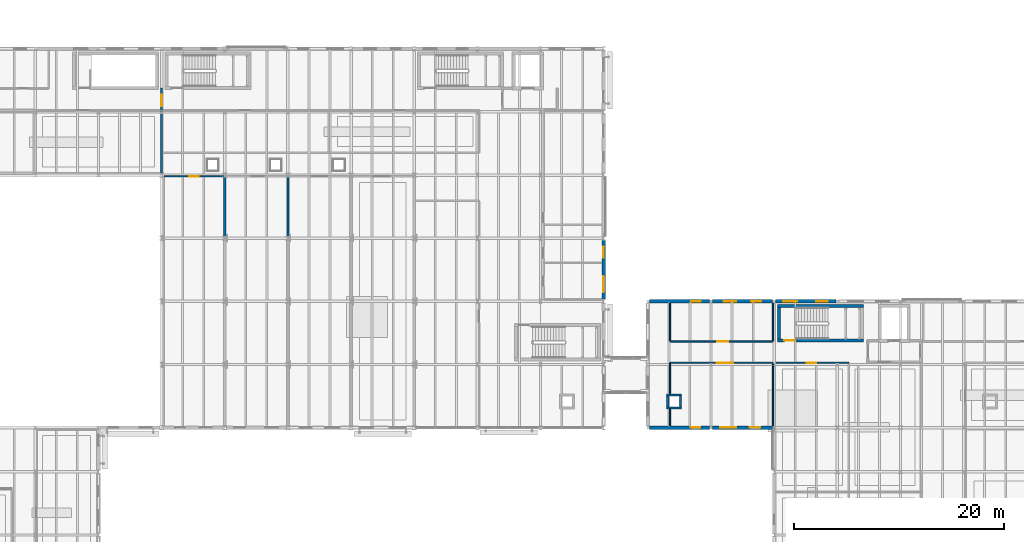
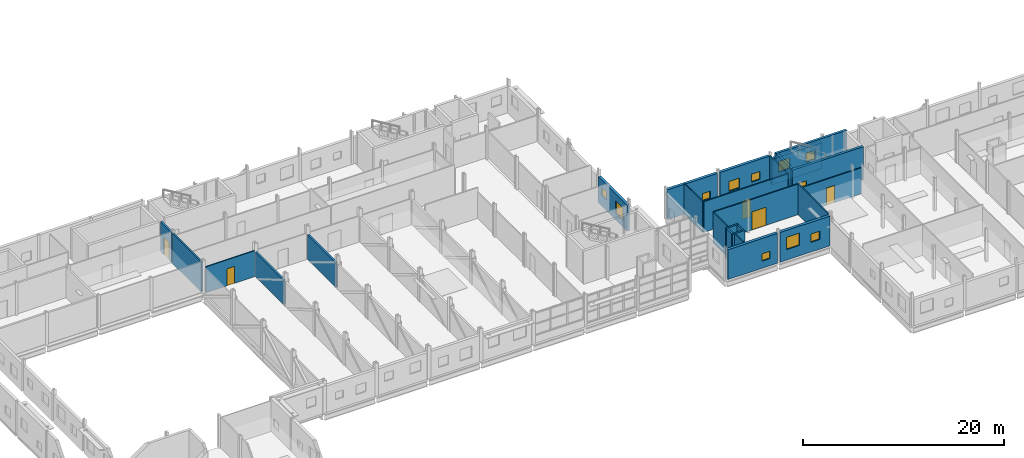
# One storey, part 69 of 92: 26 walls, 10 windows, 6 doors, 16 openings.
"""IFC4 building model written with IfcOpenShell, lengths in metres."""

from ifc_helpers import new_model, si_unit, direction, frame, frame_2d, origin, place, context, subcontext, project, spatial, rectangle, extrude, material, layer, layer_set, type_object, element, fill, save


model = new_model("IFC4")

# Units and contexts
model_context = context("Model", 3, precision=1e-05, world=origin(), true_north=direction((0.0, 1.0)))
body_context = subcontext(model_context, "Body", "Model", "MODEL_VIEW")
ifc_project = project(units=[si_unit("LENGTHUNIT", "METRE"), si_unit("AREAUNIT", "SQUARE_METRE"), si_unit("VOLUMEUNIT", "CUBIC_METRE"), si_unit("PLANEANGLEUNIT", "RADIAN"), si_unit("MASSUNIT", "GRAM", prefix="KILO")], contexts=[model_context])

# Site, building, storey
site_placement = place(None, origin())
site = spatial("IfcSite", under=ifc_project, at=site_placement, CompositionType="ELEMENT")
building_placement = place(site_placement, origin())
building = spatial("IfcBuilding", under=site, at=building_placement, Name="Siltcreek Boulevard Central Fire Station", CompositionType="ELEMENT")
storey_placement = place(building_placement, frame((0.0, 0.0, 6.0)))
storey = spatial("IfcBuildingStorey", under=building, at=storey_placement, Name="L02", CompositionType="ELEMENT", Elevation=6.0)

# Wall, opening, door
ifc_material_1 = material(Name="Concrete C40/50", Category="concrete")
ifc_layer_1 = layer(ifc_material_1, 0.280029296875, Name="Concrete C40/50")
ifc_layer_set_1 = layer_set([ifc_layer_1], Name="Concrete C40/50")
wall_type_1 = type_object("IfcWallType", Name="CW_SHEAR280", PredefinedType="SHEAR", material=ifc_layer_set_1)
wall_1_placement = place(storey_placement, frame((124.52001953125, 26.260009765625, 0.0), z_axis=(0.0, 0.0, 1.0), x_axis=(1.0, 0.0, 0.0)))
wall_1 = element("IfcWall", 1, at=wall_1_placement, inside=storey, type_object=wall_type_1, Name="L02 ST-V6A stair enclosure south shear wall", PredefinedType="SHEAR", context=body_context, shape_type="SweptSolid", body=[
    extrude(rectangle(XDim=8.159912109375, YDim=0.280029296875, at=frame_2d((4.080078125, 0.0))), origin(), (0.0, 0.0, 1.0), 4.0),
])
opening_1_placement = place(wall_1_placement, frame((0.64990234375, 0.0, 0.0)))
opening_1 = element("IfcOpeningElement", 2, at=opening_1_placement, cuts=wall_1, Name="Opening SD-045", PredefinedType="OPENING", context=body_context, shape_type="SweptSolid", body=[
    extrude(rectangle(XDim=0.97998046875, YDim=2.14990234375, at=frame_2d((0.489990234375, 1.074951171875))), frame((0.0, 0.14990234375, 0.0), z_axis=(0.0, -1.0, 0.0), x_axis=(1.0, 0.0, 0.0)), (0.0, 0.0, 1.0), 0.300048828125),
])
ifc_material_2 = material(Name="Hollow metal 90-min enclosed stair door")
door_type_1 = type_object("IfcDoorType", Name="DR_ST_098X215", OperationType="NOTDEFINED", PredefinedType="DOOR", material=ifc_material_2)
door_1_placement = place(opening_1_placement, origin())
door_1 = element("IfcDoor", 3, at=door_1_placement, inside=storey, type_object=door_type_1, Name="L02 ST-V6A enclosed exit stair door SD-045", OperationType="SINGLE_SWING_RIGHT", OverallHeight=2.14990234375, OverallWidth=0.97998046875, PredefinedType="DOOR", context=body_context, shape_type="SweptSolid", body=[
    extrude(rectangle(XDim=0.97998046875, YDim=2.14990234375, at=frame_2d((0.489990234375, 1.074951171875))), frame((0.0, 0.02490234375, 0.0), z_axis=(0.0, -1.0, 0.0), x_axis=(1.0, 0.0, 0.0)), (0.0, 0.0, 1.0), 0.050048828125),
])
fill(opening_1, door_1)

# Walls
wall_2_placement = place(storey_placement, frame((132.679931640625, 29.5400390625, 0.0), z_axis=(0.0, 0.0, 1.0), x_axis=(-1.0, 0.0, 0.0)))
element("IfcWall", 4, at=wall_2_placement, inside=storey, type_object=wall_type_1, Name="L02 ST-V6A stair enclosure north shear wall", PredefinedType="SHEAR", context=body_context, shape_type="SweptSolid", body=[
    extrude(rectangle(XDim=8.159912109375, YDim=0.280029296875, at=frame_2d((4.080078125, 0.0))), origin(), (0.0, 0.0, 1.0), 4.0),
])
wall_3_placement = place(storey_placement, frame((124.659912109375, 29.39990234375, 0.0), z_axis=(0.0, 0.0, 1.0), x_axis=(0.0, -1.0, 0.0)))
element("IfcWall", 5, at=wall_3_placement, inside=storey, type_object=wall_type_1, Name="L02 ST-V6A stair enclosure west shear wall", PredefinedType="SHEAR", context=body_context, shape_type="SweptSolid", body=[
    extrude(rectangle(XDim=3.0, YDim=0.280029296875, at=frame_2d((1.5, 0.0))), origin(), (0.0, 0.0, 1.0), 4.0),
])

# Wall, openings, windows
ifc_material_3 = material(Name="White ribbed aluminum insulated rainscreen panel", Category="aluminium")
ifc_layer_2 = layer(ifc_material_3, 0.320068359375, Name="White ribbed aluminum insulated rainscreen panel")
ifc_layer_set_2 = layer_set([ifc_layer_2], Name="White ribbed aluminum insulated rainscreen panel")
wall_type_2 = type_object("IfcWallType", Name="EW_METAL320", PredefinedType="STANDARD", material=ifc_layer_set_2)
wall_4_placement = place(storey_placement, frame((108.0, 30.14501953125, 0.0), z_axis=(0.0, 0.0, 1.0), x_axis=(0.0, 1.0, 0.0)))
wall_4 = element("IfcWall", 6, at=wall_4_placement, inside=storey, type_object=wall_type_2, Name="L02 V2 exterior insulated rainscreen wall WL-EXT-L02-0077", PredefinedType="STANDARD", context=body_context, shape_type="SweptSolid", body=[
    extrude(rectangle(XDim=5.7099609375, YDim=0.320068359375, at=frame_2d((2.85498046875, 0.0))), origin(), (0.0, 0.0, 1.0), 3.156982421875),
])
opening_2_placement = place(wall_4_placement, frame((0.7412109375, 0.0, 0.820068359375)))
opening_2 = element("IfcOpeningElement", 7, at=opening_2_placement, cuts=wall_4, Name="Opening WN42", PredefinedType="OPENING", context=body_context, shape_type="SweptSolid", body=[
    extrude(rectangle(XDim=1.5, YDim=1.5, at=frame_2d((0.75, 0.75))), frame((0.0, 0.169921875, 0.0), z_axis=(0.0, -1.0, 0.0), x_axis=(1.0, 0.0, 0.0)), (0.0, 0.0, 1.0), 0.340087890625),
])
opening_3_placement = place(wall_4_placement, frame((4.02001953125, 0.0, 1.280029296875)))
opening_3 = element("IfcOpeningElement", 8, at=opening_3_placement, cuts=wall_4, Name="Opening WN38", PredefinedType="OPENING", context=body_context, shape_type="SweptSolid", body=[
    extrude(rectangle(XDim=1.02001953125, YDim=1.02001953125, at=frame_2d((0.510009765625, 0.510009765625))), frame((0.0, 0.169921875, 0.0), z_axis=(0.0, -1.0, 0.0), x_axis=(1.0, 0.0, 0.0)), (0.0, 0.0, 1.0), 0.340087890625),
])
ifc_material_4 = material(Name="Thermally broken aluminum frame with low-E insulated glass", Category="aluminium")
window_type_1 = type_object("IfcWindowType", Name="WN_SQ_102X102", PartitioningType="SINGLE_PANEL", PredefinedType="WINDOW", material=ifc_material_4)
window_1_placement = place(opening_3_placement, origin())
window_1 = element("IfcWindow", 9, at=window_1_placement, inside=storey, type_object=window_type_1, Name="L02 V2 square exterior window WN-0056", OverallHeight=1.02001953125, OverallWidth=1.02001953125, PartitioningType="SINGLE_PANEL", PredefinedType="WINDOW", context=body_context, shape_type="SweptSolid", body=[
    extrude(rectangle(XDim=1.02001953125, YDim=1.02001953125, at=frame_2d((0.510009765625, 0.510009765625))), frame((0.0, 0.030029296875, 0.0), z_axis=(0.0, -1.0, 0.0), x_axis=(1.0, 0.0, 0.0)), (0.0, 0.0, 1.0), 0.06005859375),
])
fill(opening_3, window_1)
window_type_2 = type_object("IfcWindowType", Name="WN_SQ_150X150", PartitioningType="SINGLE_PANEL", PredefinedType="WINDOW", material=ifc_material_4)
window_2_placement = place(opening_2_placement, origin())
window_2 = element("IfcWindow", 10, at=window_2_placement, inside=storey, type_object=window_type_2, Name="L02 V2 square exterior window WN-0055", OverallHeight=1.5, OverallWidth=1.5, PartitioningType="SINGLE_PANEL", PredefinedType="WINDOW", context=body_context, shape_type="SweptSolid", body=[
    extrude(rectangle(XDim=1.5, YDim=1.5, at=frame_2d((0.75, 0.75))), frame((0.0, 0.030029296875, 0.0), z_axis=(0.0, -1.0, 0.0), x_axis=(1.0, 0.0, 0.0)), (0.0, 0.0, 1.0), 0.06005859375),
])
fill(opening_2, window_2)

# Wall, opening, window
wall_5_placement = place(storey_placement, frame((112.344970703125, 18.0, 0.0), z_axis=(0.0, 0.0, 1.0), x_axis=(1.0, 0.0, 0.0)))
wall_5 = element("IfcWall", 11, at=wall_5_placement, inside=storey, type_object=wall_type_2, Name="L02 V6 exterior insulated rainscreen wall WL-EXT-L02-0464", PredefinedType="STANDARD", context=body_context, shape_type="SweptSolid", body=[
    extrude(rectangle(XDim=5.7099609375, YDim=0.320068359375, at=frame_2d((2.85498046875, 0.0))), origin(), (0.0, 0.0, 1.0), 3.618896484375),
])
opening_4_placement = place(wall_5_placement, frame((3.93310546875, 0.0, 0.860107421875)))
opening_4 = element("IfcOpeningElement", 12, at=opening_4_placement, cuts=wall_5, Name="Opening WN37", PredefinedType="OPENING", context=body_context, shape_type="SweptSolid", body=[
    extrude(rectangle(XDim=0.89990234375, YDim=0.89990234375, at=frame_2d((0.449951171875, 0.449951171875))), frame((0.0, 0.169921875, 0.0), z_axis=(0.0, -1.0, 0.0), x_axis=(1.0, 0.0, 0.0)), (0.0, 0.0, 1.0), 0.340087890625),
])
window_type_3 = type_object("IfcWindowType", Name="WN_SQ_090X090", PartitioningType="SINGLE_PANEL", PredefinedType="WINDOW", material=ifc_material_4)
window_3_placement = place(opening_4_placement, origin())
window_3 = element("IfcWindow", 13, at=window_3_placement, inside=storey, type_object=window_type_3, Name="L02 V6 square exterior window WN-0188", OverallHeight=0.89990234375, OverallWidth=0.89990234375, PartitioningType="SINGLE_PANEL", PredefinedType="WINDOW", context=body_context, shape_type="SweptSolid", body=[
    extrude(rectangle(XDim=0.89990234375, YDim=0.89990234375, at=frame_2d((0.449951171875, 0.449951171875))), frame((0.0, 0.030029296875, 0.0), z_axis=(0.0, -1.0, 0.0), x_axis=(1.0, 0.0, 0.0)), (0.0, 0.0, 1.0), 0.06005859375),
])
fill(opening_4, window_3)

# Wall, openings, windows
wall_6_placement = place(storey_placement, frame((118.344970703125, 18.0, 0.0), z_axis=(0.0, 0.0, 1.0), x_axis=(1.0, 0.0, 0.0)))
wall_6 = element("IfcWall", 14, at=wall_6_placement, inside=storey, type_object=wall_type_2, Name="L02 V6 exterior insulated rainscreen wall WL-EXT-L02-0465", PredefinedType="STANDARD", context=body_context, shape_type="SweptSolid", body=[
    extrude(rectangle(XDim=5.7099609375, YDim=0.320068359375, at=frame_2d((2.85498046875, 0.0))), origin(), (0.0, 0.0, 1.0), 3.618896484375),
])
opening_5_placement = place(wall_6_placement, frame((0.7412109375, 0.0, 1.280029296875)))
opening_5 = element("IfcOpeningElement", 15, at=opening_5_placement, cuts=wall_6, Name="Opening WN42", PredefinedType="OPENING", context=body_context, shape_type="SweptSolid", body=[
    extrude(rectangle(XDim=1.5, YDim=1.5, at=frame_2d((0.75, 0.75))), frame((0.0, 0.169921875, 0.0), z_axis=(0.0, -1.0, 0.0), x_axis=(1.0, 0.0, 0.0)), (0.0, 0.0, 1.0), 0.340087890625),
])
opening_6_placement = place(wall_6_placement, frame((3.525390625, 0.0, 1.179931640625)))
opening_6 = element("IfcOpeningElement", 16, at=opening_6_placement, cuts=wall_6, Name="Opening WN38", PredefinedType="OPENING", context=body_context, shape_type="SweptSolid", body=[
    extrude(rectangle(XDim=1.02001953125, YDim=1.02001953125, at=frame_2d((0.510009765625, 0.510009765625))), frame((0.0, 0.169921875, 0.0), z_axis=(0.0, -1.0, 0.0), x_axis=(1.0, 0.0, 0.0)), (0.0, 0.0, 1.0), 0.340087890625),
])
window_4_placement = place(opening_6_placement, origin())
window_4 = element("IfcWindow", 17, at=window_4_placement, inside=storey, type_object=window_type_1, Name="L02 V6 square exterior window WN-0190", OverallHeight=1.02001953125, OverallWidth=1.02001953125, PartitioningType="SINGLE_PANEL", PredefinedType="WINDOW", context=body_context, shape_type="SweptSolid", body=[
    extrude(rectangle(XDim=1.02001953125, YDim=1.02001953125, at=frame_2d((0.510009765625, 0.510009765625))), frame((0.0, 0.030029296875, 0.0), z_axis=(0.0, -1.0, 0.0), x_axis=(1.0, 0.0, 0.0)), (0.0, 0.0, 1.0), 0.06005859375),
])
fill(opening_6, window_4)
window_5_placement = place(opening_5_placement, origin())
window_5 = element("IfcWindow", 18, at=window_5_placement, inside=storey, type_object=window_type_2, Name="L02 V6 square exterior window WN-0189", OverallHeight=1.5, OverallWidth=1.5, PartitioningType="SINGLE_PANEL", PredefinedType="WINDOW", context=body_context, shape_type="SweptSolid", body=[
    extrude(rectangle(XDim=1.5, YDim=1.5, at=frame_2d((0.75, 0.75))), frame((0.0, 0.030029296875, 0.0), z_axis=(0.0, -1.0, 0.0), x_axis=(1.0, 0.0, 0.0)), (0.0, 0.0, 1.0), 0.06005859375),
])
fill(opening_5, window_5)

# Wall, opening, window
wall_7_placement = place(storey_placement, frame((118.054931640625, 30.0, 0.0), z_axis=(0.0, 0.0, 1.0), x_axis=(-1.0, 0.0, 0.0)))
wall_7 = element("IfcWall", 19, at=wall_7_placement, inside=storey, type_object=wall_type_2, Name="L02 V6 exterior insulated rainscreen wall WL-EXT-L02-0466", PredefinedType="STANDARD", context=body_context, shape_type="SweptSolid", body=[
    extrude(rectangle(XDim=5.7099609375, YDim=0.320068359375, at=frame_2d((2.85498046875, 0.0))), origin(), (0.0, 0.0, 1.0), 3.618896484375),
])
opening_7_placement = place(wall_7_placement, frame((0.81689453125, 0.0, 0.860107421875)))
opening_7 = element("IfcOpeningElement", 20, at=opening_7_placement, cuts=wall_7, Name="Opening WN37", PredefinedType="OPENING", context=body_context, shape_type="SweptSolid", body=[
    extrude(rectangle(XDim=0.89990234375, YDim=0.89990234375, at=frame_2d((0.449951171875, 0.449951171875))), frame((0.0, 0.169921875, 0.0), z_axis=(0.0, -1.0, 0.0), x_axis=(1.0, 0.0, 0.0)), (0.0, 0.0, 1.0), 0.340087890625),
])
window_6_placement = place(opening_7_placement, origin())
window_6 = element("IfcWindow", 21, at=window_6_placement, inside=storey, type_object=window_type_3, Name="L02 V6 square exterior window WN-0191", OverallHeight=0.89990234375, OverallWidth=0.89990234375, PartitioningType="SINGLE_PANEL", PredefinedType="WINDOW", context=body_context, shape_type="SweptSolid", body=[
    extrude(rectangle(XDim=0.89990234375, YDim=0.89990234375, at=frame_2d((0.449951171875, 0.449951171875))), frame((0.0, 0.030029296875, 0.0), z_axis=(0.0, -1.0, 0.0), x_axis=(1.0, 0.0, 0.0)), (0.0, 0.0, 1.0), 0.06005859375),
])
fill(opening_7, window_6)

# Wall, openings, windows
wall_8_placement = place(storey_placement, frame((124.054931640625, 30.0, 0.0), z_axis=(0.0, 0.0, 1.0), x_axis=(-1.0, 0.0, 0.0)))
wall_8 = element("IfcWall", 22, at=wall_8_placement, inside=storey, type_object=wall_type_2, Name="L02 V6 exterior insulated rainscreen wall WL-EXT-L02-0467", PredefinedType="STANDARD", context=body_context, shape_type="SweptSolid", body=[
    extrude(rectangle(XDim=5.7099609375, YDim=0.320068359375, at=frame_2d((2.85498046875, 0.0))), origin(), (0.0, 0.0, 1.0), 3.618896484375),
])
opening_8_placement = place(wall_8_placement, frame((1.09228515625, 0.0, 1.179931640625)))
opening_8 = element("IfcOpeningElement", 23, at=opening_8_placement, cuts=wall_8, Name="Opening WN06", PredefinedType="OPENING", context=body_context, shape_type="SweptSolid", body=[
    extrude(rectangle(XDim=0.9599609375, YDim=0.9599609375, at=frame_2d((0.47998046875, 0.47998046875))), frame((0.0, 0.169921875, 0.0), z_axis=(0.0, -1.0, 0.0), x_axis=(1.0, 0.0, 0.0)), (0.0, 0.0, 1.0), 0.340087890625),
])
opening_9_placement = place(wall_8_placement, frame((3.46240234375, 0.0, 0.9599609375)))
opening_9 = element("IfcOpeningElement", 24, at=opening_9_placement, cuts=wall_8, Name="Opening WN01", PredefinedType="OPENING", context=body_context, shape_type="SweptSolid", body=[
    extrude(rectangle(XDim=1.199951171875, YDim=1.199951171875, at=frame_2d((0.60009765625, 0.60009765625))), frame((0.0, 0.169921875, 0.0), z_axis=(0.0, -1.0, 0.0), x_axis=(1.0, 0.0, 0.0)), (0.0, 0.0, 1.0), 0.340087890625),
])
window_type_4 = type_object("IfcWindowType", Name="WN_SQ_096X096", PartitioningType="SINGLE_PANEL", PredefinedType="WINDOW", material=ifc_material_4)
window_7_placement = place(opening_8_placement, origin())
window_7 = element("IfcWindow", 25, at=window_7_placement, inside=storey, type_object=window_type_4, Name="L02 V6 square exterior window WN-0192", OverallHeight=0.9599609375, OverallWidth=0.9599609375, PartitioningType="SINGLE_PANEL", PredefinedType="WINDOW", context=body_context, shape_type="SweptSolid", body=[
    extrude(rectangle(XDim=0.9599609375, YDim=0.9599609375, at=frame_2d((0.47998046875, 0.47998046875))), frame((0.0, 0.030029296875, 0.0), z_axis=(0.0, -1.0, 0.0), x_axis=(1.0, 0.0, 0.0)), (0.0, 0.0, 1.0), 0.06005859375),
])
fill(opening_8, window_7)
window_type_5 = type_object("IfcWindowType", Name="WN_SQ_120X120", PartitioningType="SINGLE_PANEL", PredefinedType="WINDOW", material=ifc_material_4)
window_8_placement = place(opening_9_placement, origin())
window_8 = element("IfcWindow", 26, at=window_8_placement, inside=storey, type_object=window_type_5, Name="L02 V6 square exterior window WN-0193", OverallHeight=1.199951171875, OverallWidth=1.199951171875, PartitioningType="SINGLE_PANEL", PredefinedType="WINDOW", context=body_context, shape_type="SweptSolid", body=[
    extrude(rectangle(XDim=1.199951171875, YDim=1.199951171875, at=frame_2d((0.60009765625, 0.60009765625))), frame((0.0, 0.030029296875, 0.0), z_axis=(0.0, -1.0, 0.0), x_axis=(1.0, 0.0, 0.0)), (0.0, 0.0, 1.0), 0.06005859375),
])
fill(opening_9, window_8)

wall_9_placement = place(storey_placement, frame((130.054931640625, 30.0, 0.0), z_axis=(0.0, 0.0, 1.0), x_axis=(-1.0, 0.0, 0.0)))
wall_9 = element("IfcWall", 27, at=wall_9_placement, inside=storey, type_object=wall_type_2, Name="L02 V6 exterior insulated rainscreen wall WL-EXT-L02-0468", PredefinedType="STANDARD", context=body_context, shape_type="SweptSolid", body=[
    extrude(rectangle(XDim=5.7099609375, YDim=0.320068359375, at=frame_2d((2.85498046875, 0.0))), origin(), (0.0, 0.0, 1.0), 3.153076171875),
])
opening_10_placement = place(wall_9_placement, frame((0.75390625, 0.0, 1.419921875)))
opening_10 = element("IfcOpeningElement", 28, at=opening_10_placement, cuts=wall_9, Name="Opening WN05", PredefinedType="OPENING", context=body_context, shape_type="SweptSolid", body=[
    extrude(rectangle(XDim=1.080078125, YDim=1.080078125, at=frame_2d((0.5400390625, 0.5400390625))), frame((0.0, 0.169921875, 0.0), z_axis=(0.0, -1.0, 0.0), x_axis=(1.0, 0.0, 0.0)), (0.0, 0.0, 1.0), 0.340087890625),
])
opening_11_placement = place(wall_9_placement, frame((3.66015625, 0.0, 1.280029296875)))
opening_11 = element("IfcOpeningElement", 29, at=opening_11_placement, cuts=wall_9, Name="Opening WN02", PredefinedType="OPENING", context=body_context, shape_type="SweptSolid", body=[
    extrude(rectangle(XDim=1.320068359375, YDim=1.320068359375, at=frame_2d((0.66015625, 0.66015625))), frame((0.0, 0.169921875, 0.0), z_axis=(0.0, -1.0, 0.0), x_axis=(1.0, 0.0, 0.0)), (0.0, 0.0, 1.0), 0.340087890625),
])
window_type_6 = type_object("IfcWindowType", Name="WN_SQ_108X108", PartitioningType="SINGLE_PANEL", PredefinedType="WINDOW", material=ifc_material_4)
window_9_placement = place(opening_10_placement, origin())
window_9 = element("IfcWindow", 30, at=window_9_placement, inside=storey, type_object=window_type_6, Name="L02 V6 square exterior window WN-0194", OverallHeight=1.080078125, OverallWidth=1.080078125, PartitioningType="SINGLE_PANEL", PredefinedType="WINDOW", context=body_context, shape_type="SweptSolid", body=[
    extrude(rectangle(XDim=1.080078125, YDim=1.080078125, at=frame_2d((0.5400390625, 0.5400390625))), frame((0.0, 0.030029296875, 0.0), z_axis=(0.0, -1.0, 0.0), x_axis=(1.0, 0.0, 0.0)), (0.0, 0.0, 1.0), 0.06005859375),
])
fill(opening_10, window_9)
window_type_7 = type_object("IfcWindowType", Name="WN_SQ_132X132", PartitioningType="SINGLE_PANEL", PredefinedType="WINDOW", material=ifc_material_4)
window_10_placement = place(opening_11_placement, origin())
window_10 = element("IfcWindow", 31, at=window_10_placement, inside=storey, type_object=window_type_7, Name="L02 V6 square exterior window WN-0195", OverallHeight=1.320068359375, OverallWidth=1.320068359375, PartitioningType="SINGLE_PANEL", PredefinedType="WINDOW", context=body_context, shape_type="SweptSolid", body=[
    extrude(rectangle(XDim=1.320068359375, YDim=1.320068359375, at=frame_2d((0.66015625, 0.66015625))), frame((0.0, 0.030029296875, 0.0), z_axis=(0.0, -1.0, 0.0), x_axis=(1.0, 0.0, 0.0)), (0.0, 0.0, 1.0), 0.06005859375),
])
fill(opening_11, window_10)

# Walls
ifc_material_5 = material(Name="Fire-rated concrete masonry and gypsum barrier", Category="masonry")
ifc_layer_3 = layer(ifc_material_5, 0.199951171875, Name="Fire-rated concrete masonry and gypsum barrier")
ifc_layer_set_3 = layer_set([ifc_layer_3], Name="Fire-rated concrete masonry and gypsum barrier")
wall_type_3 = type_object("IfcWallType", Name="IW_FIRE200", PredefinedType="PARTITIONING", material=ifc_layer_set_3)
wall_10_placement = place(storey_placement, frame((113.985107421875, 19.885009765625, 0.0), z_axis=(0.0, 0.0, 1.0), x_axis=(1.0, 0.0, 0.0)))
element("IfcWall", 32, at=wall_10_placement, inside=storey, type_object=wall_type_3, Name="L02 enclosed MEP service riser wall 019-S", PredefinedType="PARTITIONING", context=body_context, shape_type="SweptSolid", body=[
    extrude(rectangle(XDim=1.429931640625, YDim=0.199951171875, at=frame_2d((0.71484375, 0.0))), origin(), (0.0, 0.0, 1.0), 3.719970703125),
])
wall_11_placement = place(storey_placement, frame((115.31494140625, 19.985107421875, 0.0), z_axis=(0.0, 0.0, 1.0), x_axis=(0.0, 1.0, 0.0)))
element("IfcWall", 33, at=wall_11_placement, inside=storey, type_object=wall_type_3, Name="L02 enclosed MEP service riser wall 019-E", PredefinedType="PARTITIONING", context=body_context, shape_type="SweptSolid", body=[
    extrude(rectangle(XDim=1.02978515625, YDim=0.199951171875, at=frame_2d((0.514892578125, 0.0))), origin(), (0.0, 0.0, 1.0), 3.719970703125),
])
wall_12_placement = place(storey_placement, frame((115.4150390625, 21.114990234375, 0.0), z_axis=(0.0, 0.0, 1.0), x_axis=(-1.0, 0.0, 0.0)))
element("IfcWall", 34, at=wall_12_placement, inside=storey, type_object=wall_type_3, Name="L02 enclosed MEP service riser wall 019-N", PredefinedType="PARTITIONING", context=body_context, shape_type="SweptSolid", body=[
    extrude(rectangle(XDim=1.429931640625, YDim=0.199951171875, at=frame_2d((0.71484375, 0.0))), origin(), (0.0, 0.0, 1.0), 3.719970703125),
])
wall_13_placement = place(storey_placement, frame((114.0849609375, 21.014892578125, 0.0), z_axis=(0.0, 0.0, 1.0), x_axis=(0.0, -1.0, 0.0)))
element("IfcWall", 35, at=wall_13_placement, inside=storey, type_object=wall_type_3, Name="L02 enclosed MEP service riser wall 019-W", PredefinedType="PARTITIONING", context=body_context, shape_type="SweptSolid", body=[
    extrude(rectangle(XDim=1.02978515625, YDim=0.199951171875, at=frame_2d((0.514892578125, 0.0))), origin(), (0.0, 0.0, 1.0), 3.719970703125),
])
wall_14_placement = place(storey_placement, frame((66.0, 42.179931640625, 0.0), z_axis=(0.0, 0.0, 1.0), x_axis=(0.0, 1.0, 0.0)))
element("IfcWall", 36, at=wall_14_placement, inside=storey, type_object=wall_type_3, Name="L02 decon-to-crew fire-barrier wall FW-21", PredefinedType="PARTITIONING", context=body_context, shape_type="SweptSolid", body=[
    extrude(rectangle(XDim=5.719970703125, YDim=0.199951171875, at=frame_2d((2.85986328125, 0.0))), origin(), (0.0, 0.0, 1.0), 3.64990234375),
])

# Wall, opening, door
wall_15_placement = place(storey_placement, frame((66.0, 48.050048828125, 0.0), z_axis=(0.0, 0.0, 1.0), x_axis=(0.0, 1.0, 0.0)))
wall_15 = element("IfcWall", 37, at=wall_15_placement, inside=storey, type_object=wall_type_3, Name="L02 decon-to-crew fire-barrier wall FW-22", PredefinedType="PARTITIONING", context=body_context, shape_type="SweptSolid", body=[
    extrude(rectangle(XDim=2.199951171875, YDim=0.199951171875, at=frame_2d((1.10009765625, 0.0))), origin(), (0.0, 0.0, 1.0), 3.64990234375),
])
opening_12_placement = place(wall_15_placement, frame((0.5, 0.0, 0.0)))
opening_12 = element("IfcOpeningElement", 38, at=opening_12_placement, cuts=wall_15, Name="Opening DD01", PredefinedType="OPENING", context=body_context, shape_type="SweptSolid", body=[
    extrude(rectangle(XDim=1.080078125, YDim=2.139892578125, at=frame_2d((0.5400390625, 1.06982421875))), frame((0.0, 0.10986328125, 0.0), z_axis=(0.0, -1.0, 0.0), x_axis=(1.0, 0.0, 0.0)), (0.0, 0.0, 1.0), 0.219970703125),
])
ifc_material_6 = material(Name="Stainless steel positive-pressure decon airlock door", Category="steel")
door_type_2 = type_object("IfcDoorType", Name="DR_DEC_108X214", OperationType="NOTDEFINED", PredefinedType="DOOR", material=ifc_material_6)
door_2_placement = place(opening_12_placement, frame((1.080078125, 0.0, 0.0), z_axis=(0.0, 0.0, 1.0), x_axis=(-1.0, 0.0, 0.0)))
door_2 = element("IfcDoor", 39, at=door_2_placement, inside=storey, type_object=door_type_2, Name="L02 decon-to-crew corridor fire-barrier door DD01", OperationType="SINGLE_SWING_RIGHT", OverallHeight=2.139892578125, OverallWidth=1.080078125, PredefinedType="DOOR", context=body_context, shape_type="SweptSolid", body=[
    extrude(rectangle(XDim=1.080078125, YDim=2.139892578125, at=frame_2d((0.5400390625, 1.06982421875))), frame((0.0, 0.02490234375, 0.0), z_axis=(0.0, -1.0, 0.0), x_axis=(1.0, 0.0, 0.0)), (0.0, 0.0, 1.0), 0.050048828125),
])
fill(opening_12, door_2)

# Walls
for number, where, z_axis, x_axis, name in (
    (40, (72.0, 36.179931640625, 0.0), (0.0, 0.0, 1.0), (0.0, 1.0, 0.0), "L02 transfer-truss fire-rated enclosure wall X72-4"),
    (41, (78.0, 36.179931640625, 0.0), (0.0, 0.0, 1.0), (0.0, 1.0, 0.0), "L02 transfer-truss fire-rated enclosure wall X78-4"),
):
    element("IfcWall", number, at=place(storey_placement, frame(where, z_axis=z_axis, x_axis=x_axis)), inside=storey, type_object=wall_type_3, Name=name, PredefinedType="PARTITIONING", context=body_context, shape_type="SweptSolid", body=[
        extrude(rectangle(XDim=5.64013671875, YDim=0.199951171875, at=frame_2d((2.820068359375, 0.0))), origin(), (0.0, 0.0, 1.0), 2.97998046875),
    ])

# Wall, opening, door
ifc_material_7 = material(Name="Interior steel stud gypsum partition", Category="steel")
ifc_layer_4 = layer(ifc_material_7, 0.125, Name="Interior steel stud gypsum partition")
ifc_layer_set_4 = layer_set([ifc_layer_4], Name="Interior steel stud gypsum partition")
wall_type_4 = type_object("IfcWallType", Name="IW_PART125", PredefinedType="PARTITIONING", material=ifc_layer_set_4)
wall_16_placement = place(storey_placement, frame((66.262451171875, 41.8798828125, 0.0), z_axis=(0.0, 0.0, 1.0), x_axis=(1.0, 0.0, 0.0)))
wall_16 = element("IfcWall", 42, at=wall_16_placement, inside=storey, type_object=wall_type_4, Name="L02 Commercial Station Kitchen partition 0135", PredefinedType="PARTITIONING", context=body_context, shape_type="SweptSolid", body=[
    extrude(rectangle(XDim=5.637451171875, YDim=0.125, at=frame_2d((2.81884765625, 0.0))), origin(), (0.0, 0.0, 1.0), 3.153076171875),
])
opening_13_placement = place(wall_16_placement, frame((2.3837890625, 0.0, 0.0)))
opening_13 = element("IfcOpeningElement", 43, at=opening_13_placement, cuts=wall_16, Name="Opening ID09", PredefinedType="OPENING", context=body_context, shape_type="SweptSolid", body=[
    extrude(rectangle(XDim=0.8701171875, YDim=2.06005859375, at=frame_2d((0.43505859375, 1.030029296875))), frame((0.0, 0.072509765625, 0.0), z_axis=(0.0, -1.0, 0.0), x_axis=(1.0, 0.0, 0.0)), (0.0, 0.0, 1.0), 0.14501953125),
])
ifc_material_8 = material(Name="Moisture-resistant staff toilet door")
door_type_3 = type_object("IfcDoorType", Name="DR_WC_087X206", OperationType="NOTDEFINED", PredefinedType="DOOR", material=ifc_material_8)
door_3_placement = place(opening_13_placement, frame((0.8701171875, 0.0, 0.0), z_axis=(0.0, 0.0, 1.0), x_axis=(-1.0, 0.0, 0.0)))
door_3 = element("IfcDoor", 44, at=door_3_placement, inside=storey, type_object=door_type_3, Name="L02 Commercial Station Kitchen door ID-0061", OperationType="SINGLE_SWING_RIGHT", OverallHeight=2.06005859375, OverallWidth=0.8701171875, PredefinedType="DOOR", context=body_context, shape_type="SweptSolid", body=[
    extrude(rectangle(XDim=0.8701171875, YDim=2.06005859375, at=frame_2d((0.43505859375, 1.030029296875))), frame((0.0, 0.02490234375, 0.0), z_axis=(0.0, -1.0, 0.0), x_axis=(1.0, 0.0, 0.0)), (0.0, 0.0, 1.0), 0.050048828125),
])
fill(opening_13, door_3)

wall_17_placement = place(storey_placement, frame((114.297607421875, 24.159912109375, 0.0), z_axis=(0.0, 0.0, 1.0), x_axis=(1.0, 0.0, 0.0)))
wall_17 = element("IfcWall", 45, at=wall_17_placement, inside=storey, type_object=wall_type_4, Name="L02 Bridge Pre-Function Seminar Gallery partition 0179", PredefinedType="PARTITIONING", context=body_context, shape_type="SweptSolid", body=[
    extrude(rectangle(XDim=9.784912109375, YDim=0.125, at=frame_2d((4.892578125, 0.0))), origin(), (0.0, 0.0, 1.0), 3.719970703125),
])
opening_14_placement = place(wall_17_placement, frame((4.4404296875, 0.0, 0.0)))
opening_14 = element("IfcOpeningElement", 46, at=opening_14_placement, cuts=wall_17, Name="Opening AD02", PredefinedType="OPENING", context=body_context, shape_type="SweptSolid", body=[
    extrude(rectangle(XDim=1.580078125, YDim=2.199951171875, at=frame_2d((0.7900390625, 1.10009765625))), frame((0.0, 0.072509765625, 0.0), z_axis=(0.0, -1.0, 0.0), x_axis=(1.0, 0.0, 0.0)), (0.0, 0.0, 1.0), 0.14501953125),
])
ifc_material_9 = material(Name="Glazed acoustic assembly hall double door")
door_type_4 = type_object("IfcDoorType", Name="DR_HAL_158X220", OperationType="NOTDEFINED", PredefinedType="DOOR", material=ifc_material_9)
door_4_placement = place(opening_14_placement, origin())
door_4 = element("IfcDoor", 47, at=door_4_placement, inside=storey, type_object=door_type_4, Name="L02 Bridge Pre-Function Seminar Gallery door ID-0082", OperationType="DOUBLE_DOOR_SINGLE_SWING", OverallHeight=2.199951171875, OverallWidth=1.580078125, PredefinedType="DOOR", context=body_context, shape_type="SweptSolid", body=[
    extrude(rectangle(XDim=1.580078125, YDim=2.199951171875, at=frame_2d((0.7900390625, 1.10009765625))), frame((0.0, 0.02490234375, 0.0), z_axis=(0.0, -1.0, 0.0), x_axis=(1.0, 0.0, 0.0)), (0.0, 0.0, 1.0), 0.050048828125),
])
fill(opening_14, door_4)

# Walls
wall_18_placement = place(storey_placement, frame((124.080078125, 24.097412109375, 0.0), z_axis=(0.0, 0.0, 1.0), x_axis=(0.0, -1.0, 0.0)))
element("IfcWall", 48, at=wall_18_placement, inside=storey, type_object=wall_type_4, Name="L02 Bridge Pre-Function Seminar Gallery partition 0180", PredefinedType="PARTITIONING", context=body_context, shape_type="SweptSolid", body=[
    extrude(rectangle(XDim=5.9375, YDim=0.125, at=frame_2d((2.96875, 0.0))), origin(), (0.0, 0.0, 1.0), 3.719970703125),
])
wall_19_placement = place(storey_placement, frame((114.300048828125, 18.159912109375, 0.0), z_axis=(0.0, 0.0, 1.0), x_axis=(0.0, 1.0, 0.0)))
element("IfcWall", 49, at=wall_19_placement, inside=storey, type_object=wall_type_4, Name="L02 Bridge Pre-Function Seminar Gallery partition 0181", PredefinedType="PARTITIONING", context=body_context, shape_type="SweptSolid", body=[
    extrude(rectangle(XDim=1.625, YDim=0.125, at=frame_2d((0.8125, 0.0))), origin(), (0.0, 0.0, 1.0), 3.719970703125),
])
wall_20_placement = place(storey_placement, frame((114.300048828125, 21.215087890625, 0.0), z_axis=(0.0, 0.0, 1.0), x_axis=(0.0, 1.0, 0.0)))
element("IfcWall", 50, at=wall_20_placement, inside=storey, type_object=wall_type_4, Name="L02 Bridge Pre-Function Seminar Gallery partition 0182", PredefinedType="PARTITIONING", context=body_context, shape_type="SweptSolid", body=[
    extrude(rectangle(XDim=2.88232421875, YDim=0.125, at=frame_2d((1.441162109375, 0.0))), origin(), (0.0, 0.0, 1.0), 3.719970703125),
])
for number, where, z_axis, x_axis, name in (
    (51, (114.300048828125, 26.197509765625, 0.0), (0.0, 0.0, 1.0), (0.0, 1.0, 0.0), "L02 Instructor Collaboration Room partition 0183"),
    (52, (124.080078125, 29.840087890625, 0.0), (0.0, 0.0, 1.0), (0.0, -1.0, 0.0), "L02 Instructor Collaboration Room partition 0184"),
):
    element("IfcWall", number, at=place(storey_placement, frame(where, z_axis=z_axis, x_axis=x_axis)), inside=storey, type_object=wall_type_4, Name=name, PredefinedType="PARTITIONING", context=body_context, shape_type="SweptSolid", body=[
        extrude(rectangle(XDim=3.642578125, YDim=0.125, at=frame_2d((1.8212890625, 0.0))), origin(), (0.0, 0.0, 1.0), 3.719970703125),
    ])

# Wall, opening, door
wall_21_placement = place(storey_placement, frame((124.017578125, 26.199951171875, 0.0), z_axis=(0.0, 0.0, 1.0), x_axis=(-1.0, 0.0, 0.0)))
wall_21 = element("IfcWall", 53, at=wall_21_placement, inside=storey, type_object=wall_type_4, Name="L02 Instructor Collaboration Room partition 0185", PredefinedType="PARTITIONING", context=body_context, shape_type="SweptSolid", body=[
    extrude(rectangle(XDim=9.655029296875, YDim=0.125, at=frame_2d((4.82763671875, 0.0))), origin(), (0.0, 0.0, 1.0), 3.719970703125),
])
opening_15_placement = place(wall_21_placement, frame((4.2001953125, 0.0, 0.0)))
opening_15 = element("IfcOpeningElement", 54, at=opening_15_placement, cuts=wall_21, Name="Opening ID01", PredefinedType="OPENING", context=body_context, shape_type="SweptSolid", body=[
    extrude(rectangle(XDim=1.030029296875, YDim=2.14990234375, at=frame_2d((0.51513671875, 1.074951171875))), frame((0.0, 0.072509765625, 0.0), z_axis=(0.0, -1.0, 0.0), x_axis=(1.0, 0.0, 0.0)), (0.0, 0.0, 1.0), 0.14501953125),
])
ifc_material_10 = material(Name="Solid-core timber acoustic classroom door", Category="wood")
door_type_5 = type_object("IfcDoorType", Name="DR_CLS_103X215", OperationType="NOTDEFINED", PredefinedType="DOOR", material=ifc_material_10)
door_5_placement = place(opening_15_placement, frame((1.030029296875, 0.0, 0.0), z_axis=(0.0, 0.0, 1.0), x_axis=(-1.0, 0.0, 0.0)))
door_5 = element("IfcDoor", 55, at=door_5_placement, inside=storey, type_object=door_type_5, Name="L02 Instructor Collaboration Room door ID-0083", OperationType="SINGLE_SWING_RIGHT", OverallHeight=2.14990234375, OverallWidth=1.030029296875, PredefinedType="DOOR", context=body_context, shape_type="SweptSolid", body=[
    extrude(rectangle(XDim=1.030029296875, YDim=2.14990234375, at=frame_2d((0.51513671875, 1.074951171875))), frame((0.0, 0.02490234375, 0.0), z_axis=(0.0, -1.0, 0.0), x_axis=(1.0, 0.0, 0.0)), (0.0, 0.0, 1.0), 0.050048828125),
])
fill(opening_15, door_5)

wall_22_placement = place(storey_placement, frame((124.41748046875, 24.159912109375, 0.0), z_axis=(0.0, 0.0, 1.0), x_axis=(1.0, 0.0, 0.0)))
wall_22 = element("IfcWall", 56, at=wall_22_placement, inside=storey, type_object=wall_type_4, Name="L02 Training Classroom 203 partition 0192", PredefinedType="PARTITIONING", context=body_context, shape_type="SweptSolid", body=[
    extrude(rectangle(XDim=6.864990234375, YDim=0.125, at=frame_2d((3.4326171875, 0.0))), origin(), (0.0, 0.0, 1.0), 3.153076171875),
])
opening_16_placement = place(wall_22_placement, frame((2.86962890625, 0.0, 0.0)))
opening_16 = element("IfcOpeningElement", 57, at=opening_16_placement, cuts=wall_22, Name="Opening ID08", PredefinedType="OPENING", context=body_context, shape_type="SweptSolid", body=[
    extrude(rectangle(XDim=0.89990234375, YDim=2.10009765625, at=frame_2d((0.449951171875, 1.050048828125))), frame((0.0, 0.072509765625, 0.0), z_axis=(0.0, -1.0, 0.0), x_axis=(1.0, 0.0, 0.0)), (0.0, 0.0, 1.0), 0.14501953125),
])
ifc_material_11 = material(Name="Moisture-resistant accessible toilet door")
door_type_6 = type_object("IfcDoorType", Name="DR_WC_090X210", OperationType="NOTDEFINED", PredefinedType="DOOR", material=ifc_material_11)
door_6_placement = place(opening_16_placement, frame((0.89990234375, 0.0, 0.0), z_axis=(0.0, 0.0, 1.0), x_axis=(-1.0, 0.0, 0.0)))
door_6 = element("IfcDoor", 58, at=door_6_placement, inside=storey, type_object=door_type_6, Name="L02 Training Classroom 203 door ID-0087", OperationType="SINGLE_SWING_RIGHT", OverallHeight=2.10009765625, OverallWidth=0.89990234375, PredefinedType="DOOR", context=body_context, shape_type="SweptSolid", body=[
    extrude(rectangle(XDim=0.89990234375, YDim=2.10009765625, at=frame_2d((0.449951171875, 1.050048828125))), frame((0.0, 0.02490234375, 0.0), z_axis=(0.0, -1.0, 0.0), x_axis=(1.0, 0.0, 0.0)), (0.0, 0.0, 1.0), 0.050048828125),
])
fill(opening_16, door_6)

save(model, "model.ifc")
